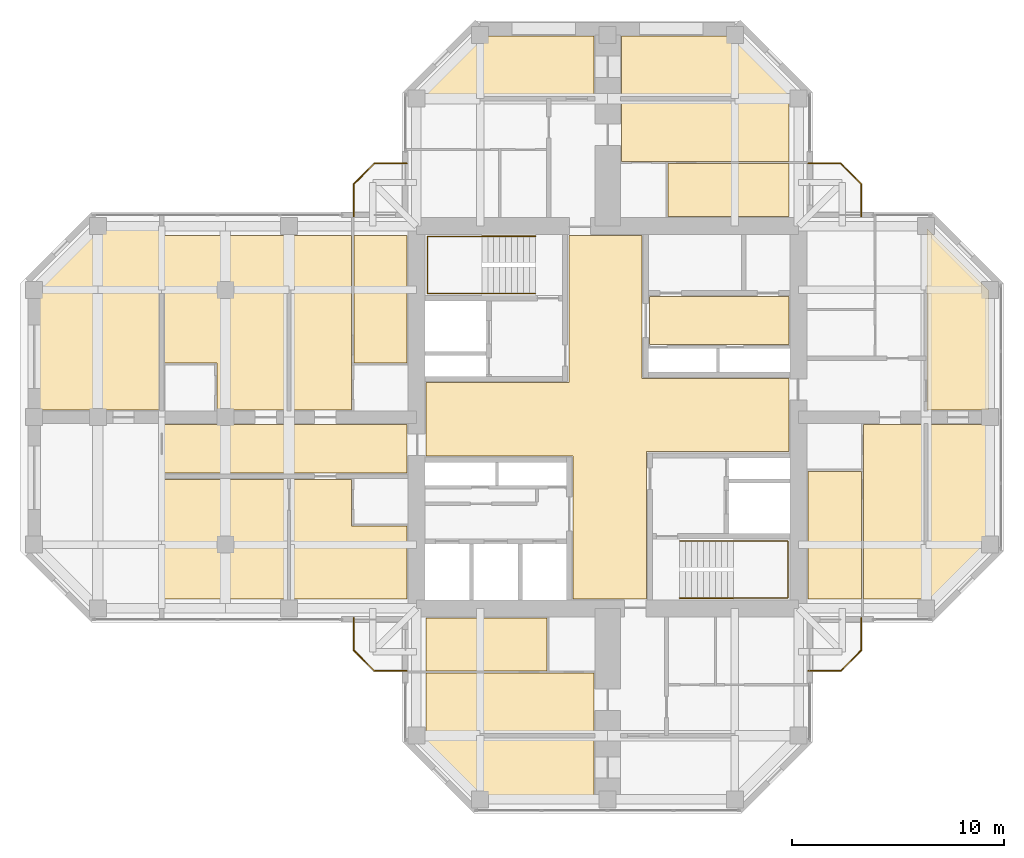
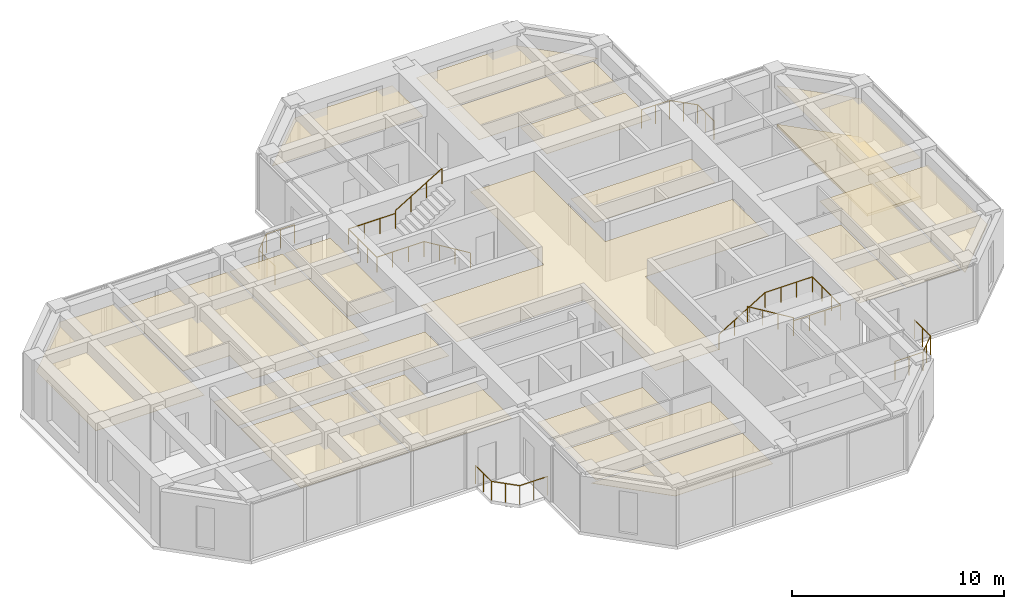
# One storey, part 13 of 13: 21 coverings, 8 railings.
"""IFC4 building model written with IfcOpenShell, lengths in metres."""

from ifc_helpers import new_model, si_unit, direction, frame, origin, origin_2d, place, context, subcontext, project, spatial, polyline, circle, outline, extrude, material, layer, layer_set, constituent, constituent_set, type_object, element, save


model = new_model("IFC4")

# Units and contexts
model_context = context("Model", 3, precision=1e-05, world=origin(), true_north=direction((0.0, 1.0)))
body_context = subcontext(model_context, "Body", "Model", "MODEL_VIEW")
ifc_project = project(units=[si_unit("LENGTHUNIT", "METRE"), si_unit("AREAUNIT", "SQUARE_METRE"), si_unit("VOLUMEUNIT", "CUBIC_METRE"), si_unit("PLANEANGLEUNIT", "RADIAN"), si_unit("MASSUNIT", "GRAM", prefix="KILO")], contexts=[model_context])

# Site, building, storey
site_placement = place(None, origin())
site = spatial("IfcSite", under=ifc_project, at=site_placement, CompositionType="ELEMENT")
building_placement = place(site_placement, origin())
building = spatial("IfcBuilding", under=site, at=building_placement, Name="Torre Cruceta", CompositionType="ELEMENT")
storey_placement = place(building_placement, frame((0.0, 0.0, 232.300048828125)))
storey = spatial("IfcBuildingStorey", under=building, at=storey_placement, Name="L59", CompositionType="ELEMENT", Elevation=232.300048828125)

# Railings
ifc_material_1 = material(Name="Stainless steel 1.4401", Category="steel")
ifc_constituent_1 = constituent(ifc_material_1, Name="Frame")
ifc_material_2 = material(Name="Laminated safety glass", Category="glass")
ifc_constituent_2 = constituent(ifc_material_2, Name="Infill")
ifc_constituent_set_1 = constituent_set(constituents=[ifc_constituent_1, ifc_constituent_2], Name="Stainless steel and laminated glass balustrade")
railing_type_1 = type_object("IfcRailingType", Name="BALCONY BALUSTRADE 1100", PredefinedType="BALUSTRADE", material=ifc_constituent_set_1)
railing_1_placement = place(storey_placement, frame((-9.449951171875, 11.949951171875, 0.0)))
element("IfcRailing", 1, at=railing_1_placement, inside=storey, type_object=railing_type_1, Name="BL1 balcony balustrade L59 N", PredefinedType="BALUSTRADE", context=body_context, shape_type="SweptSolid", body=[
    extrude(circle(Radius=0.02392578125, at=origin_2d()), frame((0.0, 0.0, 1.076171875), z_axis=(-1.0, 0.0, 0.0), x_axis=(0.0, -1.0, 0.0)), (0.0, 0.0, 1.0), 1.529296875),
    extrude(circle(Radius=0.02392578125, at=origin_2d()), frame((-1.529296875, 0.0, 1.076171875), z_axis=(-0.707106781187, -0.707106781187, 0.0), x_axis=(0.707106781187, -0.707106781187, 0.0)), (0.0, 0.0, 1.0), 1.372802734375),
    extrude(circle(Radius=0.02392578125, at=origin_2d()), frame((-2.5, -0.970703125, 1.076171875), z_axis=(0.0, -1.0, 0.0), x_axis=(1.0, 0.0, 0.0)), (0.0, 0.0, 1.0), 1.529296875),
    extrude(circle(Radius=0.02099609375, at=origin_2d()), origin(), (0.0, 0.0, 1.0), 1.052001953125),
    extrude(circle(Radius=0.02099609375, at=origin_2d()), frame((-0.7646484375, 0.0, 0.0)), (0.0, 0.0, 1.0), 1.052001953125),
    extrude(circle(Radius=0.02099609375, at=origin_2d()), frame((-1.529296875, 0.0, 0.0)), (0.0, 0.0, 1.0), 1.052001953125),
    extrude(circle(Radius=0.02099609375, at=origin_2d()), frame((-2.0146484375, -0.4853515625, 0.0)), (0.0, 0.0, 1.0), 1.052001953125),
    extrude(circle(Radius=0.02099609375, at=origin_2d()), frame((-2.5, -0.970703125, 0.0)), (0.0, 0.0, 1.0), 1.052001953125),
    extrude(circle(Radius=0.02099609375, at=origin_2d()), frame((-2.5, -1.7353515625, 0.0)), (0.0, 0.0, 1.0), 1.052001953125),
    extrude(circle(Radius=0.02099609375, at=origin_2d()), frame((-2.5, -2.5, 0.0)), (0.0, 0.0, 1.0), 1.052001953125),
])
railing_2_placement = place(storey_placement, frame((9.449951171875, 11.949951171875, 0.0)))
element("IfcRailing", 2, at=railing_2_placement, inside=storey, type_object=railing_type_1, Name="BL1 balcony balustrade L59 E", PredefinedType="BALUSTRADE", context=body_context, shape_type="SweptSolid", body=[
    extrude(circle(Radius=0.02392578125, at=origin_2d()), frame((0.0, 0.0, 1.076171875), z_axis=(1.0, 0.0, 0.0), x_axis=(0.0, 1.0, 0.0)), (0.0, 0.0, 1.0), 1.529296875),
    extrude(circle(Radius=0.02392578125, at=origin_2d()), frame((1.529296875, 0.0, 1.076171875), z_axis=(0.707106781187, -0.707106781187, 0.0), x_axis=(0.707106781187, 0.707106781187, 0.0)), (0.0, 0.0, 1.0), 1.372802734375),
    extrude(circle(Radius=0.02392578125, at=origin_2d()), frame((2.5, -0.970703125, 1.076171875), z_axis=(0.0, -1.0, 0.0), x_axis=(1.0, 0.0, 0.0)), (0.0, 0.0, 1.0), 1.529296875),
    extrude(circle(Radius=0.02099609375, at=origin_2d()), origin(), (0.0, 0.0, 1.0), 1.052001953125),
    extrude(circle(Radius=0.02099609375, at=origin_2d()), frame((0.7646484375, 0.0, 0.0)), (0.0, 0.0, 1.0), 1.052001953125),
    extrude(circle(Radius=0.02099609375, at=origin_2d()), frame((1.529296875, 0.0, 0.0)), (0.0, 0.0, 1.0), 1.052001953125),
    extrude(circle(Radius=0.02099609375, at=origin_2d()), frame((2.0146484375, -0.4853515625, 0.0)), (0.0, 0.0, 1.0), 1.052001953125),
    extrude(circle(Radius=0.02099609375, at=origin_2d()), frame((2.5, -0.970703125, 0.0)), (0.0, 0.0, 1.0), 1.052001953125),
    extrude(circle(Radius=0.02099609375, at=origin_2d()), frame((2.5, -1.7353515625, 0.0)), (0.0, 0.0, 1.0), 1.052001953125),
    extrude(circle(Radius=0.02099609375, at=origin_2d()), frame((2.5, -2.5, 0.0)), (0.0, 0.0, 1.0), 1.052001953125),
])
railing_3_placement = place(storey_placement, frame((9.449951171875, -11.949951171875, 0.0)))
element("IfcRailing", 3, at=railing_3_placement, inside=storey, type_object=railing_type_1, Name="BL1 balcony balustrade L59 S", PredefinedType="BALUSTRADE", context=body_context, shape_type="SweptSolid", body=[
    extrude(circle(Radius=0.02392578125, at=origin_2d()), frame((0.0, 0.0, 1.076171875), z_axis=(1.0, 0.0, 0.0), x_axis=(0.0, 1.0, 0.0)), (0.0, 0.0, 1.0), 1.529296875),
    extrude(circle(Radius=0.02392578125, at=origin_2d()), frame((1.529296875, 0.0, 1.076171875), z_axis=(0.707106781187, 0.707106781187, 0.0), x_axis=(-0.707106781187, 0.707106781187, 0.0)), (0.0, 0.0, 1.0), 1.372802734375),
    extrude(circle(Radius=0.02392578125, at=origin_2d()), frame((2.5, 0.970703125, 1.076171875), z_axis=(0.0, 1.0, 0.0), x_axis=(-1.0, 0.0, 0.0)), (0.0, 0.0, 1.0), 1.529296875),
    extrude(circle(Radius=0.02099609375, at=origin_2d()), origin(), (0.0, 0.0, 1.0), 1.052001953125),
    extrude(circle(Radius=0.02099609375, at=origin_2d()), frame((0.7646484375, 0.0, 0.0)), (0.0, 0.0, 1.0), 1.052001953125),
    extrude(circle(Radius=0.02099609375, at=origin_2d()), frame((1.529296875, 0.0, 0.0)), (0.0, 0.0, 1.0), 1.052001953125),
    extrude(circle(Radius=0.02099609375, at=origin_2d()), frame((2.0146484375, 0.4853515625, 0.0)), (0.0, 0.0, 1.0), 1.052001953125),
    extrude(circle(Radius=0.02099609375, at=origin_2d()), frame((2.5, 0.970703125, 0.0)), (0.0, 0.0, 1.0), 1.052001953125),
    extrude(circle(Radius=0.02099609375, at=origin_2d()), frame((2.5, 1.7353515625, 0.0)), (0.0, 0.0, 1.0), 1.052001953125),
    extrude(circle(Radius=0.02099609375, at=origin_2d()), frame((2.5, 2.5, 0.0)), (0.0, 0.0, 1.0), 1.052001953125),
])
railing_4_placement = place(storey_placement, frame((-9.449951171875, -11.949951171875, 0.0)))
element("IfcRailing", 4, at=railing_4_placement, inside=storey, type_object=railing_type_1, Name="BL1 balcony balustrade L59 W", PredefinedType="BALUSTRADE", context=body_context, shape_type="SweptSolid", body=[
    extrude(circle(Radius=0.02392578125, at=origin_2d()), frame((0.0, 0.0, 1.076171875), z_axis=(-1.0, 0.0, 0.0), x_axis=(0.0, -1.0, 0.0)), (0.0, 0.0, 1.0), 1.529296875),
    extrude(circle(Radius=0.02392578125, at=origin_2d()), frame((-1.529296875, 0.0, 1.076171875), z_axis=(-0.707106781187, 0.707106781187, 0.0), x_axis=(-0.707106781187, -0.707106781187, 0.0)), (0.0, 0.0, 1.0), 1.372802734375),
    extrude(circle(Radius=0.02392578125, at=origin_2d()), frame((-2.5, 0.970703125, 1.076171875), z_axis=(0.0, 1.0, 0.0), x_axis=(-1.0, 0.0, 0.0)), (0.0, 0.0, 1.0), 1.529296875),
    extrude(circle(Radius=0.02099609375, at=origin_2d()), origin(), (0.0, 0.0, 1.0), 1.052001953125),
    extrude(circle(Radius=0.02099609375, at=origin_2d()), frame((-0.7646484375, 0.0, 0.0)), (0.0, 0.0, 1.0), 1.052001953125),
    extrude(circle(Radius=0.02099609375, at=origin_2d()), frame((-1.529296875, 0.0, 0.0)), (0.0, 0.0, 1.0), 1.052001953125),
    extrude(circle(Radius=0.02099609375, at=origin_2d()), frame((-2.0146484375, 0.4853515625, 0.0)), (0.0, 0.0, 1.0), 1.052001953125),
    extrude(circle(Radius=0.02099609375, at=origin_2d()), frame((-2.5, 0.970703125, 0.0)), (0.0, 0.0, 1.0), 1.052001953125),
    extrude(circle(Radius=0.02099609375, at=origin_2d()), frame((-2.5, 1.7353515625, 0.0)), (0.0, 0.0, 1.0), 1.052001953125),
    extrude(circle(Radius=0.02099609375, at=origin_2d()), frame((-2.5, 2.5, 0.0)), (0.0, 0.0, 1.0), 1.052001953125),
])
ifc_material_3 = material(Name="Stainless steel 1.4401", Category="steel")
railing_type_2 = type_object("IfcRailingType", Name="HANDRAIL 900", PredefinedType="HANDRAIL", material=ifc_material_3)
railing_5_placement = place(storey_placement, frame((-3.39990234375, 5.8349609375, 0.169921875)))
element("IfcRailing", 5, at=railing_5_placement, inside=storey, type_object=railing_type_2, Name="Handrail HR1 ST1 L59", PredefinedType="HANDRAIL", context=body_context, shape_type="SweptSolid", body=[
    extrude(circle(Radius=0.02392578125, at=origin_2d()), frame((0.0, 0.0, 0.8759765625), z_axis=(-0.85478489116, 0.0, 0.518982456201), x_axis=(0.0, -1.0, 0.0)), (0.0, 0.0, 1.0), 2.9482421875),
    extrude(circle(Radius=0.02392578125, at=origin_2d()), frame((-2.52001953125, 0.0, 2.40576171875), z_axis=(-1.0, 0.0, 0.0), x_axis=(0.0, -1.0, 0.0)), (0.0, 0.0, 1.0), 2.570068359375),
    extrude(circle(Radius=0.02392578125, at=origin_2d()), frame((-5.090087890625, 0.0, 2.40576171875), z_axis=(0.0, 1.0, 0.0), x_axis=(-1.0, 0.0, 0.0)), (0.0, 0.0, 1.0), 2.679931640625),
    extrude(circle(Radius=0.02392578125, at=origin_2d()), frame((-5.090087890625, 2.679931640625, 2.40576171875), z_axis=(1.0, 0.0, 0.0), x_axis=(0.0, 1.0, 0.0)), (0.0, 0.0, 1.0), 2.570068359375),
    extrude(circle(Radius=0.02099609375, at=origin_2d()), origin(), (0.0, 0.0, 1.0), 0.851806640625),
    extrude(circle(Radius=0.02099609375, at=origin_2d()), frame((-0.840087890625, 0.0, 0.510009765625)), (0.0, 0.0, 1.0), 0.851806640625),
    extrude(circle(Radius=0.02099609375, at=origin_2d()), frame((-1.679931640625, 0.0, 1.02001953125)), (0.0, 0.0, 1.0), 0.851806640625),
    extrude(circle(Radius=0.02099609375, at=origin_2d()), frame((-2.52001953125, 0.0, 1.530029296875)), (0.0, 0.0, 1.0), 0.851806640625),
    extrude(circle(Radius=0.02099609375, at=origin_2d()), frame((-3.376708984375, 0.0, 1.530029296875)), (0.0, 0.0, 1.0), 0.851806640625),
    extrude(circle(Radius=0.02099609375, at=origin_2d()), frame((-4.2333984375, 0.0, 1.530029296875)), (0.0, 0.0, 1.0), 0.851806640625),
    extrude(circle(Radius=0.02099609375, at=origin_2d()), frame((-5.090087890625, 0.0, 1.530029296875)), (0.0, 0.0, 1.0), 0.851806640625),
    extrude(circle(Radius=0.02099609375, at=origin_2d()), frame((-5.090087890625, 0.893310546875, 1.530029296875)), (0.0, 0.0, 1.0), 0.851806640625),
    extrude(circle(Radius=0.02099609375, at=origin_2d()), frame((-5.090087890625, 1.78662109375, 1.530029296875)), (0.0, 0.0, 1.0), 0.851806640625),
    extrude(circle(Radius=0.02099609375, at=origin_2d()), frame((-5.090087890625, 2.679931640625, 1.530029296875)), (0.0, 0.0, 1.0), 0.851806640625),
    extrude(circle(Radius=0.02099609375, at=origin_2d()), frame((-4.2333984375, 2.679931640625, 1.530029296875)), (0.0, 0.0, 1.0), 0.851806640625),
    extrude(circle(Radius=0.02099609375, at=origin_2d()), frame((-3.376708984375, 2.679931640625, 1.530029296875)), (0.0, 0.0, 1.0), 0.851806640625),
    extrude(circle(Radius=0.02099609375, at=origin_2d()), frame((-2.52001953125, 2.679931640625, 1.530029296875)), (0.0, 0.0, 1.0), 0.851806640625),
])
railing_6_placement = place(storey_placement, frame((-5.919921875, 8.514892578125, 1.869873046875)))
element("IfcRailing", 6, at=railing_6_placement, inside=storey, type_object=railing_type_2, Name="Handrail HR1 ST1 L59", PredefinedType="HANDRAIL", context=body_context, shape_type="SweptSolid", body=[
    extrude(circle(Radius=0.02392578125, at=origin_2d()), frame((0.0, 0.0, 0.8759765625), z_axis=(0.85478489116, 0.0, 0.518982456201), x_axis=(0.0, 1.0, 0.0)), (0.0, 0.0, 1.0), 2.9482421875),
    extrude(circle(Radius=0.02099609375, at=origin_2d()), origin(), (0.0, 0.0, 1.0), 0.851806640625),
    extrude(circle(Radius=0.02099609375, at=origin_2d()), frame((0.840087890625, 0.0, 0.510009765625)), (0.0, 0.0, 1.0), 0.851806640625),
    extrude(circle(Radius=0.02099609375, at=origin_2d()), frame((1.679931640625, 0.0, 1.02001953125)), (0.0, 0.0, 1.0), 0.851806640625),
    extrude(circle(Radius=0.02099609375, at=origin_2d()), frame((2.52001953125, 0.0, 1.530029296875)), (0.0, 0.0, 1.0), 0.851806640625),
])
railing_7_placement = place(storey_placement, frame((3.39990234375, -5.8349609375, 0.169921875)))
element("IfcRailing", 7, at=railing_7_placement, inside=storey, type_object=railing_type_2, Name="Handrail HR1 ST2 L59", PredefinedType="HANDRAIL", context=body_context, shape_type="SweptSolid", body=[
    extrude(circle(Radius=0.02392578125, at=origin_2d()), frame((0.0, 0.0, 0.8759765625), z_axis=(0.85478489116, 0.0, 0.518982456201), x_axis=(0.0, 1.0, 0.0)), (0.0, 0.0, 1.0), 2.9482421875),
    extrude(circle(Radius=0.02392578125, at=origin_2d()), frame((2.52001953125, 0.0, 2.40576171875), z_axis=(1.0, 0.0, 0.0), x_axis=(0.0, 1.0, 0.0)), (0.0, 0.0, 1.0), 2.570068359375),
    extrude(circle(Radius=0.02392578125, at=origin_2d()), frame((5.090087890625, 0.0, 2.40576171875), z_axis=(0.0, -1.0, 0.0), x_axis=(1.0, 0.0, 0.0)), (0.0, 0.0, 1.0), 2.679931640625),
    extrude(circle(Radius=0.02392578125, at=origin_2d()), frame((5.090087890625, -2.679931640625, 2.40576171875), z_axis=(-1.0, 0.0, 0.0), x_axis=(0.0, -1.0, 0.0)), (0.0, 0.0, 1.0), 2.570068359375),
    extrude(circle(Radius=0.02099609375, at=origin_2d()), origin(), (0.0, 0.0, 1.0), 0.851806640625),
    extrude(circle(Radius=0.02099609375, at=origin_2d()), frame((0.840087890625, 0.0, 0.510009765625)), (0.0, 0.0, 1.0), 0.851806640625),
    extrude(circle(Radius=0.02099609375, at=origin_2d()), frame((1.679931640625, 0.0, 1.02001953125)), (0.0, 0.0, 1.0), 0.851806640625),
    extrude(circle(Radius=0.02099609375, at=origin_2d()), frame((2.52001953125, 0.0, 1.530029296875)), (0.0, 0.0, 1.0), 0.851806640625),
    extrude(circle(Radius=0.02099609375, at=origin_2d()), frame((3.376708984375, 0.0, 1.530029296875)), (0.0, 0.0, 1.0), 0.851806640625),
    extrude(circle(Radius=0.02099609375, at=origin_2d()), frame((4.2333984375, 0.0, 1.530029296875)), (0.0, 0.0, 1.0), 0.851806640625),
    extrude(circle(Radius=0.02099609375, at=origin_2d()), frame((5.090087890625, 0.0, 1.530029296875)), (0.0, 0.0, 1.0), 0.851806640625),
    extrude(circle(Radius=0.02099609375, at=origin_2d()), frame((5.090087890625, -0.893310546875, 1.530029296875)), (0.0, 0.0, 1.0), 0.851806640625),
    extrude(circle(Radius=0.02099609375, at=origin_2d()), frame((5.090087890625, -1.78662109375, 1.530029296875)), (0.0, 0.0, 1.0), 0.851806640625),
    extrude(circle(Radius=0.02099609375, at=origin_2d()), frame((5.090087890625, -2.679931640625, 1.530029296875)), (0.0, 0.0, 1.0), 0.851806640625),
    extrude(circle(Radius=0.02099609375, at=origin_2d()), frame((4.2333984375, -2.679931640625, 1.530029296875)), (0.0, 0.0, 1.0), 0.851806640625),
    extrude(circle(Radius=0.02099609375, at=origin_2d()), frame((3.376708984375, -2.679931640625, 1.530029296875)), (0.0, 0.0, 1.0), 0.851806640625),
    extrude(circle(Radius=0.02099609375, at=origin_2d()), frame((2.52001953125, -2.679931640625, 1.530029296875)), (0.0, 0.0, 1.0), 0.851806640625),
])
railing_8_placement = place(storey_placement, frame((5.919921875, -8.514892578125, 1.869873046875)))
element("IfcRailing", 8, at=railing_8_placement, inside=storey, type_object=railing_type_2, Name="Handrail HR1 ST2 L59", PredefinedType="HANDRAIL", context=body_context, shape_type="SweptSolid", body=[
    extrude(circle(Radius=0.02392578125, at=origin_2d()), frame((0.0, 0.0, 0.8759765625), z_axis=(-0.85478489116, 0.0, 0.518982456201), x_axis=(0.0, -1.0, 0.0)), (0.0, 0.0, 1.0), 2.9482421875),
    extrude(circle(Radius=0.02099609375, at=origin_2d()), origin(), (0.0, 0.0, 1.0), 0.851806640625),
    extrude(circle(Radius=0.02099609375, at=origin_2d()), frame((-0.840087890625, 0.0, 0.510009765625)), (0.0, 0.0, 1.0), 0.851806640625),
    extrude(circle(Radius=0.02099609375, at=origin_2d()), frame((-1.679931640625, 0.0, 1.02001953125)), (0.0, 0.0, 1.0), 0.851806640625),
    extrude(circle(Radius=0.02099609375, at=origin_2d()), frame((-2.52001953125, 0.0, 1.530029296875)), (0.0, 0.0, 1.0), 0.851806640625),
])

# Coverings
ifc_material_4 = material(Name="Steel DX51D", Category="steel")
ifc_constituent_3 = constituent(ifc_material_4, Name="Panel casing")
ifc_material_5 = material(Name="Calcium sulphate", Category="gypsum")
ifc_constituent_4 = constituent(ifc_material_5, Name="Panel core")
ifc_constituent_set_2 = constituent_set(constituents=[ifc_constituent_3, ifc_constituent_4], Name="Raised access floor panel")
covering_type_1 = type_object("IfcCoveringType", Name="RAISED ACCESS FLOOR 150", PredefinedType="FLOORING", material=ifc_constituent_set_2)
covering_1_placement = place(storey_placement, origin())
element("IfcCovering", 9, at=covering_1_placement, inside=storey, type_object=covering_type_1, Name="Raised floor L59-038", PredefinedType="FLOORING", context=body_context, shape_type="SweptSolid", body=[
    extrude(outline(polyline([(17.949951171875, 5.979248046875), (17.949951171875, 0.35009765625), (15.050048828125, 0.35009765625), (15.050048828125, 8.87939453125), (17.949951171875, 5.979248046875)])), origin(), (0.0, 0.0, 1.0), 0.14990234375),
])
ifc_material_6 = material(Name="Mineral fibre ceiling tile", Category="gypsum")
ifc_layer = layer(ifc_material_6, 0.02001953125)
ifc_layer_set = layer_set([ifc_layer], Name="Mineral fibre ceiling tile")
covering_type_2 = type_object("IfcCoveringType", Name="SUSPENDED CEILING 20", PredefinedType="CEILING", material=ifc_layer_set)
covering_2_placement = place(storey_placement, frame((0.0, 0.0, 2.349853515625)))
element("IfcCovering", 10, at=covering_2_placement, inside=storey, type_object=covering_type_2, Name="Ceiling L59-003", PredefinedType="CEILING", context=body_context, shape_type="SweptSolid", body=[
    extrude(outline(polyline([(-1.625, -8.550048828125), (-1.625, -1.824951171875), (-8.550048828125, -1.824951171875), (-8.550048828125, 1.625), (-1.824951171875, 1.625), (-1.824951171875, 8.550048828125), (1.625, 8.550048828125), (1.625, 1.824951171875), (8.550048828125, 1.824951171875), (8.550048828125, -1.625), (1.824951171875, -1.625), (1.824951171875, -8.550048828125), (-1.625, -8.550048828125)])), origin(), (0.0, 0.0, 1.0), 0.02001953125),
])
covering_3_placement = place(storey_placement, frame((0.0, 0.0, 2.349853515625)))
element("IfcCovering", 11, at=covering_3_placement, inside=storey, type_object=covering_type_2, Name="Ceiling L59-004", PredefinedType="CEILING", context=body_context, shape_type="SweptSolid", body=[
    extrude(outline(polyline([(1.97509765625, 3.425048828125), (1.97509765625, 5.675048828125), (8.550048828125, 5.675048828125), (8.550048828125, 3.425048828125), (1.97509765625, 3.425048828125)])), origin(), (0.0, 0.0, 1.0), 0.02001953125),
])
covering_4_placement = place(storey_placement, frame((0.0, 0.0, 2.349853515625)))
element("IfcCovering", 12, at=covering_4_placement, inside=storey, type_object=covering_type_2, Name="Ceiling L59-026", PredefinedType="CEILING", context=body_context, shape_type="SweptSolid", body=[
    extrude(outline(polyline([(8.550048828125, 14.949951171875), (8.550048828125, 12.050048828125), (0.64990234375, 12.050048828125), (0.64990234375, 14.949951171875), (8.550048828125, 14.949951171875)])), origin(), (0.0, 0.0, 1.0), 0.02001953125),
])
covering_5_placement = place(storey_placement, frame((0.0, 0.0, 2.349853515625)))
element("IfcCovering", 13, at=covering_5_placement, inside=storey, type_object=covering_type_2, Name="Ceiling L59-027", PredefinedType="CEILING", context=body_context, shape_type="SweptSolid", body=[
    extrude(outline(polyline([(8.550048828125, 9.449951171875), (2.85009765625, 9.449951171875), (2.85009765625, 11.949951171875), (8.550048828125, 11.949951171875), (8.550048828125, 9.449951171875)])), origin(), (0.0, 0.0, 1.0), 0.02001953125),
])
covering_6_placement = place(storey_placement, frame((0.0, 0.0, 2.349853515625)))
element("IfcCovering", 14, at=covering_6_placement, inside=storey, type_object=covering_type_2, Name="Ceiling L59-029", PredefinedType="CEILING", context=body_context, shape_type="SweptSolid", body=[
    extrude(outline(polyline([(-5.979248046875, 17.949951171875), (-0.64990234375, 17.949951171875), (-0.64990234375, 15.050048828125), (-8.87939453125, 15.050048828125), (-5.979248046875, 17.949951171875)])), origin(), (0.0, 0.0, 1.0), 0.02001953125),
])
covering_7_placement = place(storey_placement, frame((0.0, 0.0, 2.349853515625)))
element("IfcCovering", 15, at=covering_7_placement, inside=storey, type_object=covering_type_2, Name="Ceiling L59-030", PredefinedType="CEILING", context=body_context, shape_type="SweptSolid", body=[
    extrude(outline(polyline([(8.87939453125, 15.050048828125), (0.64990234375, 15.050048828125), (0.64990234375, 17.949951171875), (5.979248046875, 17.949951171875), (8.87939453125, 15.050048828125)])), origin(), (0.0, 0.0, 1.0), 0.02001953125),
])
covering_8_placement = place(storey_placement, frame((0.0, 0.0, 2.349853515625)))
element("IfcCovering", 16, at=covering_8_placement, inside=storey, type_object=covering_type_2, Name="Ceiling L59-035", PredefinedType="CEILING", context=body_context, shape_type="SweptSolid", body=[
    extrude(outline(polyline([(14.949951171875, -8.550048828125), (12.050048828125, -8.550048828125), (12.050048828125, -0.35009765625), (14.949951171875, -0.35009765625), (14.949951171875, -8.550048828125)])), origin(), (0.0, 0.0, 1.0), 0.02001953125),
])
covering_9_placement = place(storey_placement, frame((0.0, 0.0, 2.349853515625)))
element("IfcCovering", 17, at=covering_9_placement, inside=storey, type_object=covering_type_2, Name="Ceiling L59-036", PredefinedType="CEILING", context=body_context, shape_type="SweptSolid", body=[
    extrude(outline(polyline([(9.449951171875, -8.550048828125), (9.449951171875, -2.550048828125), (11.949951171875, -2.550048828125), (11.949951171875, -8.550048828125), (9.449951171875, -8.550048828125)])), origin(), (0.0, 0.0, 1.0), 0.02001953125),
])
covering_10_placement = place(storey_placement, frame((0.0, 0.0, 2.349853515625)))
element("IfcCovering", 18, at=covering_10_placement, inside=storey, type_object=covering_type_2, Name="Ceiling L59-038", PredefinedType="CEILING", context=body_context, shape_type="SweptSolid", body=[
    extrude(outline(polyline([(17.949951171875, 5.979248046875), (17.949951171875, 0.35009765625), (15.050048828125, 0.35009765625), (15.050048828125, 8.87939453125), (17.949951171875, 5.979248046875)])), origin(), (0.0, 0.0, 1.0), 0.02001953125),
])
covering_11_placement = place(storey_placement, frame((0.0, 0.0, 2.349853515625)))
element("IfcCovering", 19, at=covering_11_placement, inside=storey, type_object=covering_type_2, Name="Ceiling L59-039", PredefinedType="CEILING", context=body_context, shape_type="SweptSolid", body=[
    extrude(outline(polyline([(15.050048828125, -8.87939453125), (15.050048828125, -0.35009765625), (17.949951171875, -0.35009765625), (17.949951171875, -5.979248046875), (15.050048828125, -8.87939453125)])), origin(), (0.0, 0.0, 1.0), 0.02001953125),
])
covering_12_placement = place(storey_placement, frame((0.0, 0.0, 2.349853515625)))
element("IfcCovering", 20, at=covering_12_placement, inside=storey, type_object=covering_type_2, Name="Ceiling L59-044", PredefinedType="CEILING", context=body_context, shape_type="SweptSolid", body=[
    extrude(outline(polyline([(-8.550048828125, -14.949951171875), (-8.550048828125, -12.050048828125), (-0.64990234375, -12.050048828125), (-0.64990234375, -14.949951171875), (-8.550048828125, -14.949951171875)])), origin(), (0.0, 0.0, 1.0), 0.02001953125),
])
covering_13_placement = place(storey_placement, frame((0.0, 0.0, 2.349853515625)))
element("IfcCovering", 21, at=covering_13_placement, inside=storey, type_object=covering_type_2, Name="Ceiling L59-045", PredefinedType="CEILING", context=body_context, shape_type="SweptSolid", body=[
    extrude(outline(polyline([(-8.550048828125, -9.449951171875), (-2.85009765625, -9.449951171875), (-2.85009765625, -11.949951171875), (-8.550048828125, -11.949951171875), (-8.550048828125, -9.449951171875)])), origin(), (0.0, 0.0, 1.0), 0.02001953125),
])
covering_14_placement = place(storey_placement, frame((0.0, 0.0, 2.349853515625)))
element("IfcCovering", 22, at=covering_14_placement, inside=storey, type_object=covering_type_2, Name="Ceiling L59-048", PredefinedType="CEILING", context=body_context, shape_type="SweptSolid", body=[
    extrude(outline(polyline([(-8.87939453125, -15.050048828125), (-0.64990234375, -15.050048828125), (-0.64990234375, -17.949951171875), (-5.979248046875, -17.949951171875), (-8.87939453125, -15.050048828125)])), origin(), (0.0, 0.0, 1.0), 0.02001953125),
])
covering_15_placement = place(storey_placement, frame((0.0, 0.0, 2.349853515625)))
element("IfcCovering", 23, at=covering_15_placement, inside=storey, type_object=covering_type_2, Name="Ceiling L59-049", PredefinedType="CEILING", context=body_context, shape_type="SweptSolid", body=[
    extrude(outline(polyline([(-9.449951171875, -0.35009765625), (-9.449951171875, -2.625), (-20.949951171875, -2.625), (-20.949951171875, -0.35009765625), (-9.449951171875, -0.35009765625)])), origin(), (0.0, 0.0, 1.0), 0.02001953125),
])
covering_16_placement = place(storey_placement, frame((0.0, 0.0, 2.349853515625)))
element("IfcCovering", 24, at=covering_16_placement, inside=storey, type_object=covering_type_2, Name="Ceiling L59-050", PredefinedType="CEILING", context=body_context, shape_type="SweptSolid", body=[
    extrude(outline(polyline([(-9.449951171875, -8.550048828125), (-14.949951171875, -8.550048828125), (-14.949951171875, -2.925048828125), (-12.050048828125, -2.925048828125), (-12.050048828125, -5.125), (-9.449951171875, -5.125), (-9.449951171875, -8.550048828125)])), origin(), (0.0, 0.0, 1.0), 0.02001953125),
])
covering_17_placement = place(storey_placement, frame((0.0, 0.0, 2.349853515625)))
element("IfcCovering", 25, at=covering_17_placement, inside=storey, type_object=covering_type_2, Name="Ceiling L59-052", PredefinedType="CEILING", context=body_context, shape_type="SweptSolid", body=[
    extrude(outline(polyline([(-15.050048828125, -2.925048828125), (-15.050048828125, -8.550048828125), (-20.949951171875, -8.550048828125), (-20.949951171875, -2.925048828125), (-15.050048828125, -2.925048828125)])), origin(), (0.0, 0.0, 1.0), 0.02001953125),
])
covering_18_placement = place(storey_placement, frame((0.0, 0.0, 2.349853515625)))
element("IfcCovering", 26, at=covering_18_placement, inside=storey, type_object=covering_type_2, Name="Ceiling L59-053", PredefinedType="CEILING", context=body_context, shape_type="SweptSolid", body=[
    extrude(outline(polyline([(-14.949951171875, 8.550048828125), (-12.050048828125, 8.550048828125), (-12.050048828125, 0.35009765625), (-14.949951171875, 0.35009765625), (-14.949951171875, 8.550048828125)])), origin(), (0.0, 0.0, 1.0), 0.02001953125),
])
covering_19_placement = place(storey_placement, frame((0.0, 0.0, 2.349853515625)))
element("IfcCovering", 27, at=covering_19_placement, inside=storey, type_object=covering_type_2, Name="Ceiling L59-054", PredefinedType="CEILING", context=body_context, shape_type="SweptSolid", body=[
    extrude(outline(polyline([(-9.449951171875, 8.550048828125), (-9.449951171875, 2.550048828125), (-11.949951171875, 2.550048828125), (-11.949951171875, 8.550048828125), (-9.449951171875, 8.550048828125)])), origin(), (0.0, 0.0, 1.0), 0.02001953125),
])
covering_20_placement = place(storey_placement, frame((0.0, 0.0, 2.349853515625)))
element("IfcCovering", 28, at=covering_20_placement, inside=storey, type_object=covering_type_2, Name="Ceiling L59-056", PredefinedType="CEILING", context=body_context, shape_type="SweptSolid", body=[
    extrude(outline(polyline([(-20.949951171875, 8.550048828125), (-15.050048828125, 8.550048828125), (-15.050048828125, 0.35009765625), (-18.39990234375, 0.35009765625), (-18.39990234375, 2.550048828125), (-20.949951171875, 2.550048828125), (-20.949951171875, 8.550048828125)])), origin(), (0.0, 0.0, 1.0), 0.02001953125),
])
covering_21_placement = place(storey_placement, frame((0.0, 0.0, 2.349853515625)))
element("IfcCovering", 29, at=covering_21_placement, inside=storey, type_object=covering_type_2, Name="Ceiling L59-059", PredefinedType="CEILING", context=body_context, shape_type="SweptSolid", body=[
    extrude(outline(polyline([(-23.979248046875, 8.949951171875), (-21.050048828125, 8.949951171875), (-21.050048828125, 0.35009765625), (-26.949951171875, 0.35009765625), (-26.949951171875, 5.979248046875), (-23.979248046875, 8.949951171875)])), origin(), (0.0, 0.0, 1.0), 0.02001953125),
])

save(model, "model.ifc")
